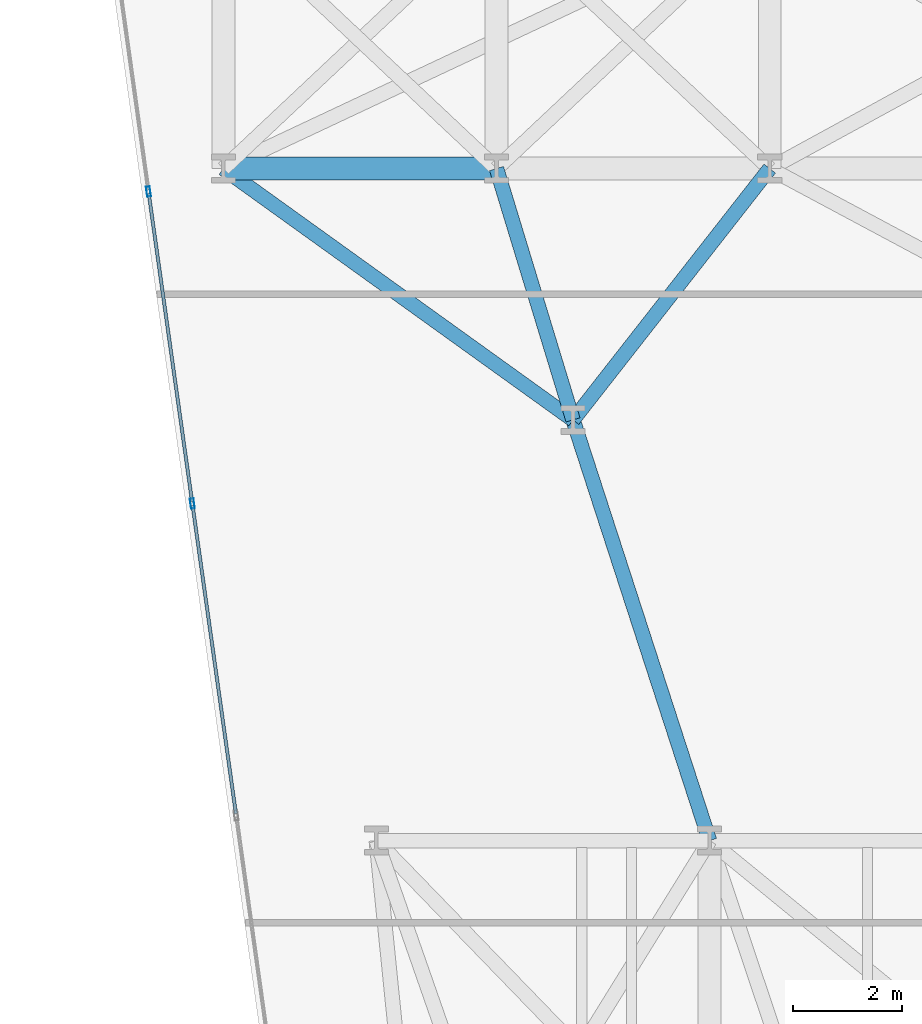
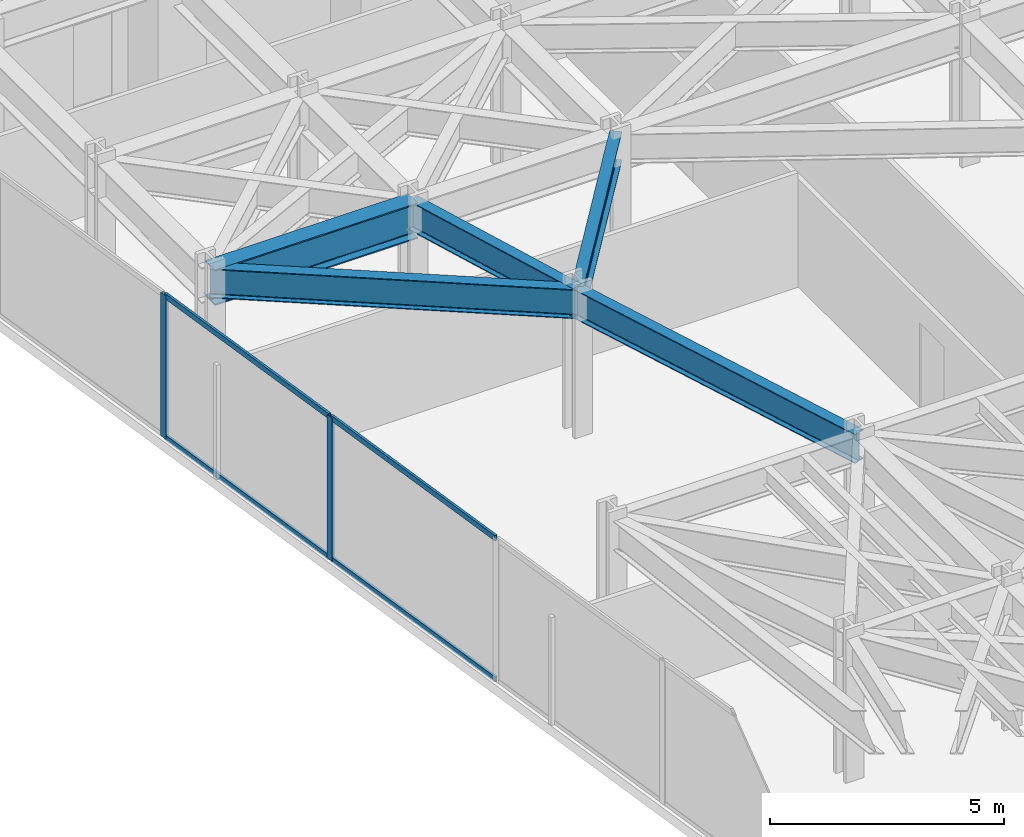
# One storey, part 7 of 24: 6 members, 5 beams, 1 element without a shape of its own.
"""IFC4 building model written with IfcOpenShell, lengths in metres."""

from ifc_helpers import new_model, si_unit, direction, frame, origin, origin_2d, place, context, subcontext, project, spatial, hollow_rectangle, i_section, extrude, material, layer, layer_set, material_profile, profile_set, type_object, element, aggregate, save


model = new_model("IFC4")

# Units and contexts
model_context = context("Model", 3, precision=1e-05, world=origin(), true_north=direction((0.0, 1.0)))
body_context = subcontext(model_context, "Body", "Model", "MODEL_VIEW")
ifc_project = project(units=[si_unit("LENGTHUNIT", "METRE"), si_unit("AREAUNIT", "SQUARE_METRE"), si_unit("VOLUMEUNIT", "CUBIC_METRE"), si_unit("PLANEANGLEUNIT", "RADIAN"), si_unit("MASSUNIT", "GRAM", prefix="KILO")], contexts=[model_context])

# Site, building, storey
site_placement = place(None, origin())
site = spatial("IfcSite", under=ifc_project, at=site_placement, CompositionType="ELEMENT")
building_placement = place(site_placement, origin())
building = spatial("IfcBuilding", under=site, at=building_placement, Name="Kravanh Interchange Tower", CompositionType="ELEMENT")
storey_placement = place(building_placement, frame((0.0, 0.0, 37.5)))
storey = spatial("IfcBuildingStorey", under=building, at=storey_placement, Name="L08", CompositionType="ELEMENT", Elevation=37.5)

# Curtain wall, members
ifc_material_1 = material(Name="Anodised Bronze Aluminium", Category="aluminium")
ifc_layer = layer(ifc_material_1, 0.179931640625)
ifc_layer_set = layer_set([ifc_layer], Name="Unitised Curtain Wall System CW-Z1 Lower Office")
curtain_wall_type = type_object("IfcCurtainWallType", Name="Unitised Curtain Wall System CW-Z1 Lower Office", PredefinedType="NOTDEFINED", material=ifc_layer_set)
curtain_wall_placement = place(storey_placement, origin())
curtain_wall = element("IfcCurtainWall", 1, at=curtain_wall_placement, inside=storey, type_object=curtain_wall_type, Name="L08 Unitised Curtain Wall CW-L08-01", PredefinedType="NOTDEFINED")
ifc_material_2 = material(Name="Anodised Bronze Aluminium", Category="aluminium")
ifc_material_profile_1 = material_profile(ifc_material_2, hollow_rectangle(XDim=0.070068359375, YDim=0.179931640625, WallThickness=0.00390625, at=origin_2d()), Name="ALU70X180X4")
ifc_profile_set_1 = profile_set([ifc_material_profile_1], Name="Anodised Bronze Aluminium")
member_type_1 = type_object("IfcMemberType", Name="Curtain Wall Mullion ALU70X180X4 Bronze", PredefinedType="MULLION", material=ifc_profile_set_1)
member_1_placement = place(storey_placement, frame((8.03271484375, 20.66845703125, 0.0), z_axis=(0.0, 0.0, 1.0), x_axis=(-0.990267585682, -0.139176538065, 0.0)))
member_1 = element("IfcMember", 2, at=member_1_placement, type_object=member_type_1, Name="CW-Z1 mullion 4", PredefinedType="MULLION", context=body_context, shape_type="SweptSolid", body=[
    extrude(hollow_rectangle(XDim=0.070068359375, YDim=0.179931640625, WallThickness=0.00390625, at=origin_2d()), origin(), (0.0, 0.0, 1.0), 3.739990234375),
])
member_2_placement = place(storey_placement, frame((7.22998046875, 26.37890625, 0.0), z_axis=(0.0, 0.0, 1.0), x_axis=(-0.990267585682, -0.139176538065, 0.0)))
member_2 = element("IfcMember", 3, at=member_2_placement, type_object=member_type_1, Name="CW-Z1 mullion 5", PredefinedType="MULLION", context=body_context, shape_type="SweptSolid", body=[
    extrude(hollow_rectangle(XDim=0.070068359375, YDim=0.179931640625, WallThickness=0.00390625, at=origin_2d()), origin(), (0.0, 0.0, 1.0), 3.739990234375),
])
ifc_material_3 = material(Name="Anodised Bronze Aluminium", Category="aluminium")
ifc_material_profile_2 = material_profile(ifc_material_3, hollow_rectangle(XDim=0.06005859375, YDim=0.139892578125, WallThickness=0.00390625, at=origin_2d()), Name="ALU60X140X4")
ifc_profile_set_2 = profile_set([ifc_material_profile_2], Name="Anodised Bronze Aluminium")
member_type_2 = type_object("IfcMemberType", Name="Curtain Wall Transom ALU60X140X4 Bronze", PredefinedType="USERDEFINED", material=ifc_profile_set_2)
member_3_placement = place(storey_placement, frame((8.830322265625, 14.992431640625, 0.030029296875), z_axis=(-0.139153051789, 0.990270886262, 0.0), x_axis=(-0.990270886262, -0.139153051789, 0.0)))
member_3 = element("IfcMember", 4, at=member_3_placement, type_object=member_type_2, Name="CW-Z1 transom 3.1", ObjectType="TRANSOM", PredefinedType="USERDEFINED", context=body_context, shape_type="SweptSolid", body=[
    extrude(hollow_rectangle(XDim=0.06005859375, YDim=0.139892578125, WallThickness=0.00390625, at=origin_2d()), origin(), (0.0, 0.0, 1.0), 5.69677734375),
])
member_4_placement = place(storey_placement, frame((8.830322265625, 14.992431640625, 3.7099609375), z_axis=(-0.139153051789, 0.990270886262, 0.0), x_axis=(-0.990270886262, -0.139153051789, 0.0)))
member_4 = element("IfcMember", 5, at=member_4_placement, type_object=member_type_2, Name="CW-Z1 transom 3.2", ObjectType="TRANSOM", PredefinedType="USERDEFINED", context=body_context, shape_type="SweptSolid", body=[
    extrude(hollow_rectangle(XDim=0.06005859375, YDim=0.139892578125, WallThickness=0.00390625, at=origin_2d()), origin(), (0.0, 0.0, 1.0), 5.69677734375),
])
member_5_placement = place(storey_placement, frame((8.02783203125, 20.703125, 0.030029296875), z_axis=(-0.139200984921, 0.990264149506, 0.0), x_axis=(-0.990264149506, -0.139200984921, 0.0)))
member_5 = element("IfcMember", 6, at=member_5_placement, type_object=member_type_2, Name="CW-Z1 transom 4.1", ObjectType="TRANSOM", PredefinedType="USERDEFINED", context=body_context, shape_type="SweptSolid", body=[
    extrude(hollow_rectangle(XDim=0.06005859375, YDim=0.139892578125, WallThickness=0.00390625, at=origin_2d()), origin(), (0.0, 0.0, 1.0), 5.696533203125),
])
member_6_placement = place(storey_placement, frame((8.02783203125, 20.703125, 3.7099609375), z_axis=(-0.139200984921, 0.990264149506, 0.0), x_axis=(-0.990264149506, -0.139200984921, 0.0)))
member_6 = element("IfcMember", 7, at=member_6_placement, type_object=member_type_2, Name="CW-Z1 transom 4.2", ObjectType="TRANSOM", PredefinedType="USERDEFINED", context=body_context, shape_type="SweptSolid", body=[
    extrude(hollow_rectangle(XDim=0.06005859375, YDim=0.139892578125, WallThickness=0.00390625, at=origin_2d()), origin(), (0.0, 0.0, 1.0), 5.696533203125),
])
aggregate(curtain_wall, [member_1, member_2, member_3, member_4, member_5, member_6])

# Beams
ifc_material_4 = material(Name="Structural Steel S355", Category="steel")
ifc_material_profile_3 = material_profile(ifc_material_4, i_section(OverallWidth=0.41796875, OverallDepth=0.927001953125, WebThickness=0.019287109375, FlangeThickness=0.031982421875, FilletRadius=0.028076171875, at=origin_2d()), Name="W36X231")
ifc_profile_set_3 = profile_set([ifc_material_profile_3], Name="Structural Steel S355")
beam_type_1 = type_object("IfcBeamType", Name="Floor Beam W36X231 Structural Steel S355", PredefinedType="BEAM", material=ifc_profile_set_3)
beam_1_placement = place(storey_placement, frame((8.60009765625, 26.800048828125, 3.276611328125), z_axis=(1.0, 0.0, 0.0), x_axis=(0.0, 1.0, 0.0)))
element("IfcBeam", 8, at=beam_1_placement, inside=storey, type_object=beam_type_1, Name="L08 Primary Floor Girder 67", PredefinedType="BEAM", context=body_context, shape_type="SweptSolid", body=[
    extrude(i_section(OverallWidth=0.41796875, OverallDepth=0.927001953125, WebThickness=0.019287109375, FlangeThickness=0.031982421875, FilletRadius=0.028076171875, at=origin_2d()), origin(), (0.0, 0.0, 1.0), 5.0),
])
ifc_material_5 = material(Name="Structural Steel S355", Category="steel")
ifc_material_profile_4 = material_profile(ifc_material_5, i_section(OverallWidth=0.26708984375, OverallDepth=0.761962890625, WebThickness=0.014404296875, FlangeThickness=0.021484375, FilletRadius=0.02490234375, at=origin_2d()), Name="W30X116")
ifc_profile_set_4 = profile_set([ifc_material_profile_4], Name="Structural Steel S355")
beam_type_2 = type_object("IfcBeamType", Name="Floor Spandrel W30X116 Structural Steel S355", PredefinedType="SPANDREL", material=ifc_profile_set_4)
beam_2_placement = place(storey_placement, frame((15.0, 22.199951171875, 3.35888671875), z_axis=(-0.291137370727, 0.956681259023, 0.0), x_axis=(-0.956681259023, -0.291137370727, 0.0)))
element("IfcBeam", 9, at=beam_2_placement, inside=storey, type_object=beam_type_2, Name="L08 Perimeter Spandrel 50", PredefinedType="SPANDREL", context=body_context, shape_type="SweptSolid", body=[
    extrude(i_section(OverallWidth=0.26708984375, OverallDepth=0.761962890625, WebThickness=0.014404296875, FlangeThickness=0.021484375, FilletRadius=0.02490234375, at=origin_2d()), origin(), (0.0, 0.0, 1.0), 4.808349609375),
])
beam_3_placement = place(storey_placement, frame((15.0, 22.199951171875, 3.35888671875), z_axis=(0.616310515553, 0.787503237085, 0.0), x_axis=(-0.787503237085, 0.616310515553, 0.0)))
element("IfcBeam", 10, at=beam_3_placement, inside=storey, type_object=beam_type_2, Name="L08 Perimeter Spandrel 51", PredefinedType="SPANDREL", context=body_context, shape_type="SweptSolid", body=[
    extrude(i_section(OverallWidth=0.26708984375, OverallDepth=0.761962890625, WebThickness=0.014404296875, FlangeThickness=0.021484375, FilletRadius=0.02490234375, at=origin_2d()), origin(), (0.0, 0.0, 1.0), 5.84130859375),
])
beam_4_placement = place(storey_placement, frame((15.0, 22.199951171875, 3.35888671875), z_axis=(-0.812005278585, 0.583650089994, 0.0), x_axis=(-0.583650089994, -0.812005278585, 0.0)))
element("IfcBeam", 11, at=beam_4_placement, inside=storey, type_object=beam_type_2, Name="L08 Perimeter Spandrel 52", PredefinedType="SPANDREL", context=body_context, shape_type="SweptSolid", body=[
    extrude(i_section(OverallWidth=0.26708984375, OverallDepth=0.761962890625, WebThickness=0.014404296875, FlangeThickness=0.021484375, FilletRadius=0.02490234375, at=origin_2d()), origin(), (0.0, 0.0, 1.0), 7.881591796875),
])
beam_5_placement = place(storey_placement, frame((15.0, 22.199951171875, 3.35888671875), z_axis=(0.30880852537, -0.951124226723, 0.0), x_axis=(0.951124226723, 0.30880852537, 0.0)))
element("IfcBeam", 12, at=beam_5_placement, inside=storey, type_object=beam_type_2, Name="L08 Perimeter Spandrel 53", PredefinedType="SPANDREL", context=body_context, shape_type="SweptSolid", body=[
    extrude(i_section(OverallWidth=0.26708984375, OverallDepth=0.761962890625, WebThickness=0.014404296875, FlangeThickness=0.021484375, FilletRadius=0.02490234375, at=origin_2d()), origin(), (0.0, 0.0, 1.0), 8.095703125),
])

save(model, "model.ifc")
